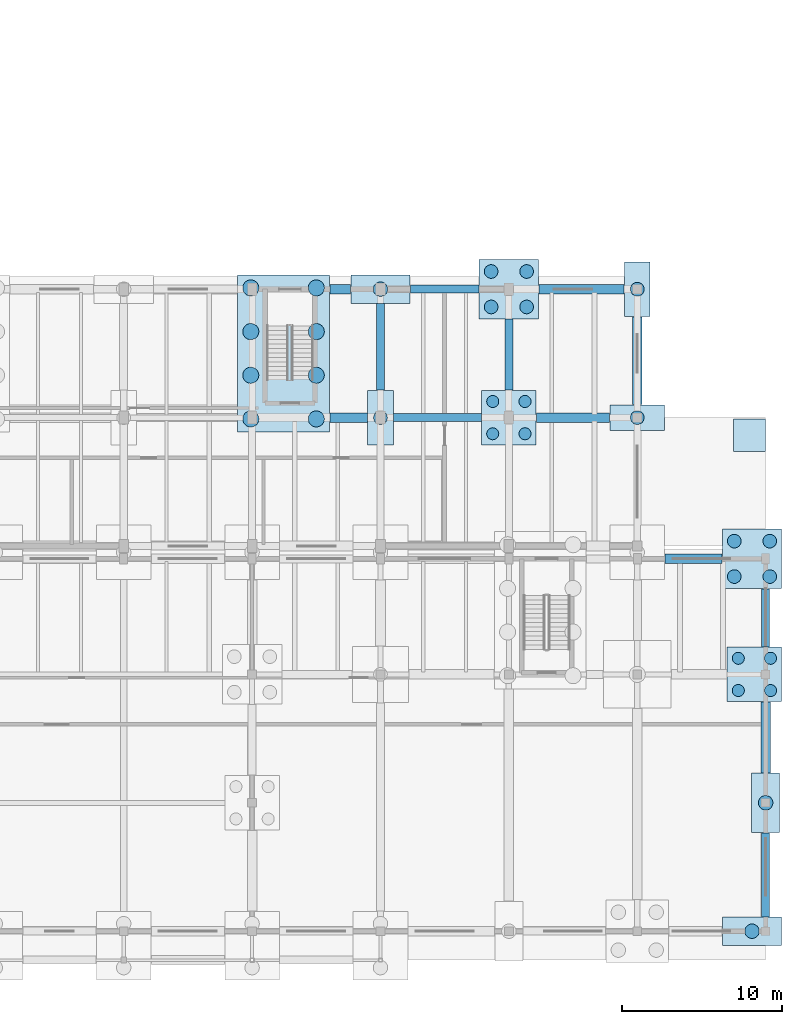
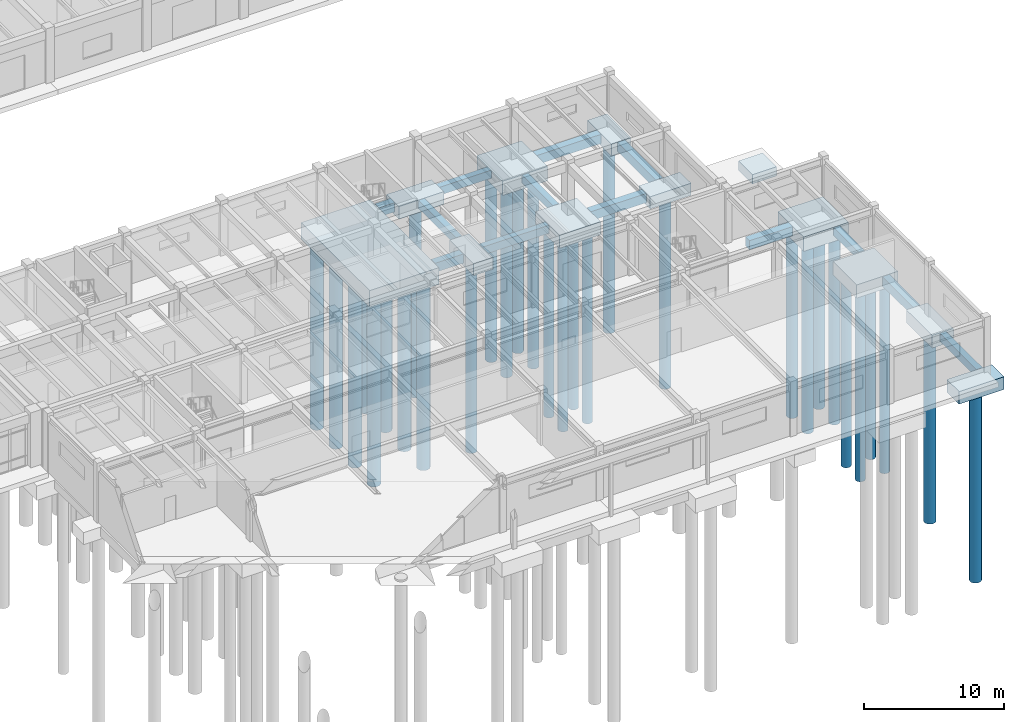
# One storey, part 4 of 64: 30 piles, 25 footings.
"""IFC4 building model written with IfcOpenShell, lengths in metres."""

from ifc_helpers import new_model, si_unit, direction, frame, origin, origin_2d, place, context, subcontext, project, spatial, rectangle, circle, extrude, material, layer, layer_set, material_profile, profile_set, type_object, element, save


model = new_model("IFC4")

# Units and contexts
model_context = context("Model", 3, precision=1e-05, world=origin(), true_north=direction((0.0, 1.0)))
body_context = subcontext(model_context, "Body", "Model", "MODEL_VIEW")
ifc_project = project(units=[si_unit("LENGTHUNIT", "METRE"), si_unit("AREAUNIT", "SQUARE_METRE"), si_unit("VOLUMEUNIT", "CUBIC_METRE"), si_unit("PLANEANGLEUNIT", "RADIAN"), si_unit("MASSUNIT", "GRAM", prefix="KILO")], contexts=[model_context])

# Site, building, storey
site_placement = place(None, origin())
site = spatial("IfcSite", under=ifc_project, at=site_placement, CompositionType="ELEMENT")
building_placement = place(site_placement, origin())
building = spatial("IfcBuilding", under=site, at=building_placement, Name="Tlaxcora Railside Police Headquarters", CompositionType="ELEMENT")
storey_placement = place(building_placement, origin())
storey = spatial("IfcBuildingStorey", under=building, at=storey_placement, Name="L00", CompositionType="ELEMENT", Elevation=0.0)

# Piles
ifc_material_1 = material(Name="Concrete C35/45", Category="concrete")
ifc_material_profile_1 = material_profile(ifc_material_1, circle(Radius=0.425048828125, at=origin_2d()), Name="PILE850")
ifc_profile_set_1 = profile_set([ifc_material_profile_1], Name="Concrete C35/45")
pile_type_1 = type_object("IfcPileType", Name="Cast-in-Place Bored Pile PL-12", PredefinedType="BORED", material=ifc_profile_set_1)
pile_placement = place(storey_placement, frame((142.800048828125, 44.0, -1.320068359375), z_axis=(0.0, 0.0, -1.0), x_axis=(1.0, 0.0, 0.0)))
element("IfcPile", 1, at=pile_placement, inside=storey, type_object=pile_type_1, Name="Bored pile PILE-150-1", PredefinedType="BORED", context=body_context, shape_type="SweptSolid", body=[
    extrude(circle(Radius=0.425048828125, at=origin_2d()), origin(), (0.0, 0.0, 1.0), 16.679931640625),
])
for number, where, z_axis, x_axis, name in (
    (2, (149.695068359375, 50.89501953125, -1.52001953125), (0.0, 0.0, -1.0), (1.0, 0.0, 0.0), "Bored pile PILE-154-1"),
    (3, (149.695068359375, 53.10498046875, -1.52001953125), (0.0, 0.0, -1.0), (1.0, 0.0, 0.0), "Bored pile PILE-154-2"),
    (4, (151.905029296875, 50.89501953125, -1.52001953125), (0.0, 0.0, -1.0), (1.0, 0.0, 0.0), "Bored pile PILE-154-3"),
    (5, (151.905029296875, 53.10498046875, -1.52001953125), (0.0, 0.0, -1.0), (1.0, 0.0, 0.0), "Bored pile PILE-154-4"),
):
    element("IfcPile", number, at=place(storey_placement, frame(where, z_axis=z_axis, x_axis=x_axis)), inside=storey, type_object=pile_type_1, Name=name, PredefinedType="BORED", context=body_context, shape_type="SweptSolid", body=[
        extrude(circle(Radius=0.425048828125, at=origin_2d()), origin(), (0.0, 0.0, 1.0), 16.47998046875),
    ])
for number, where, z_axis, x_axis, name in (
    (6, (158.800048828125, 44.0, -1.320068359375), (0.0, 0.0, -1.0), (1.0, 0.0, 0.0), "Bored pile PILE-158-1"),
    (7, (158.800048828125, 52.0, -1.320068359375), (0.0, 0.0, -1.0), (1.0, 0.0, 0.0), "Bored pile PILE-159-1"),
):
    element("IfcPile", number, at=place(storey_placement, frame(where, z_axis=z_axis, x_axis=x_axis)), inside=storey, type_object=pile_type_1, Name=name, PredefinedType="BORED", context=body_context, shape_type="SweptSolid", body=[
        extrude(circle(Radius=0.425048828125, at=origin_2d()), origin(), (0.0, 0.0, 1.0), 16.679931640625),
    ])
for number, where, z_axis, x_axis, name in (
    (8, (164.844970703125, 34.094970703125, -1.52001953125), (0.0, 0.0, -1.0), (1.0, 0.0, 0.0), "Bored pile PILE-163-1"),
    (9, (164.844970703125, 36.304931640625, -1.52001953125), (0.0, 0.0, -1.0), (1.0, 0.0, 0.0), "Bored pile PILE-163-2"),
    (10, (167.054931640625, 34.094970703125, -1.52001953125), (0.0, 0.0, -1.0), (1.0, 0.0, 0.0), "Bored pile PILE-163-3"),
    (11, (167.054931640625, 36.304931640625, -1.52001953125), (0.0, 0.0, -1.0), (1.0, 0.0, 0.0), "Bored pile PILE-163-4"),
):
    element("IfcPile", number, at=place(storey_placement, frame(where, z_axis=z_axis, x_axis=x_axis)), inside=storey, type_object=pile_type_1, Name=name, PredefinedType="BORED", context=body_context, shape_type="SweptSolid", body=[
        extrude(circle(Radius=0.425048828125, at=origin_2d()), origin(), (0.0, 0.0, 1.0), 16.47998046875),
    ])
ifc_material_profile_2 = material_profile(ifc_material_1, circle(Radius=0.449951171875, at=origin_2d()), Name="PILE900")
ifc_profile_set_2 = profile_set([ifc_material_profile_2], Name="Concrete C35/45")
pile_type_2 = type_object("IfcPileType", Name="Cast-in-Place Bored Pile PL-52", PredefinedType="BORED", material=ifc_profile_set_2)
for number, where, z_axis, x_axis, name in (
    (12, (142.800048828125, 52.0, -1.3701171875), (0.0, 0.0, -1.0), (1.0, 0.0, 0.0), "Bored pile PILE-151-1"),
    (13, (165.949951171875, 12.0, -1.3701171875), (0.0, 0.0, -1.0), (1.0, 0.0, 0.0), "Bored pile PILE-160-1"),
    (14, (166.800048828125, 20.0, -1.3701171875), (0.0, 0.0, -1.0), (1.0, 0.0, 0.0), "Bored pile PILE-161-1"),
):
    element("IfcPile", number, at=place(storey_placement, frame(where, z_axis=z_axis, x_axis=x_axis)), inside=storey, type_object=pile_type_2, Name=name, PredefinedType="BORED", context=body_context, shape_type="SweptSolid", body=[
        extrude(circle(Radius=0.449951171875, at=origin_2d()), origin(), (0.0, 0.0, 1.0), 16.6298828125),
    ])
ifc_material_profile_3 = material_profile(ifc_material_1, circle(Radius=0.375, at=origin_2d()), Name="PILE750")
ifc_profile_set_3 = profile_set([ifc_material_profile_3], Name="Concrete C35/45")
pile_type_3 = type_object("IfcPileType", Name="Cast-in-Place Bored Pile PL-58", PredefinedType="BORED", material=ifc_profile_set_3)
for number, where, z_axis, x_axis, name in (
    (15, (149.794921875, 42.9951171875, -1.419921875), (0.0, 0.0, -1.0), (1.0, 0.0, 0.0), "Bored pile PILE-153-1"),
    (16, (149.794921875, 45.0048828125, -1.419921875), (0.0, 0.0, -1.0), (1.0, 0.0, 0.0), "Bored pile PILE-153-2"),
    (17, (151.804931640625, 42.9951171875, -1.419921875), (0.0, 0.0, -1.0), (1.0, 0.0, 0.0), "Bored pile PILE-153-3"),
    (18, (151.804931640625, 45.0048828125, -1.419921875), (0.0, 0.0, -1.0), (1.0, 0.0, 0.0), "Bored pile PILE-153-4"),
    (19, (165.094970703125, 26.9951171875, -1.419921875), (0.0, 0.0, -1.0), (1.0, 0.0, 0.0), "Bored pile PILE-162-1"),
    (20, (165.094970703125, 29.0048828125, -1.419921875), (0.0, 0.0, -1.0), (1.0, 0.0, 0.0), "Bored pile PILE-162-2"),
    (21, (167.10498046875, 26.9951171875, -1.419921875), (0.0, 0.0, -1.0), (1.0, 0.0, 0.0), "Bored pile PILE-162-3"),
    (22, (167.10498046875, 29.0048828125, -1.419921875), (0.0, 0.0, -1.0), (1.0, 0.0, 0.0), "Bored pile PILE-162-4"),
):
    element("IfcPile", number, at=place(storey_placement, frame(where, z_axis=z_axis, x_axis=x_axis)), inside=storey, type_object=pile_type_3, Name=name, PredefinedType="BORED", context=body_context, shape_type="SweptSolid", body=[
        extrude(circle(Radius=0.375, at=origin_2d()), origin(), (0.0, 0.0, 1.0), 16.580078125),
    ])
ifc_material_profile_4 = material_profile(ifc_material_1, circle(Radius=0.5, at=origin_2d()), Name="PILE1000")
ifc_profile_set_4 = profile_set([ifc_material_profile_4], Name="Concrete C35/45")
pile_type_4 = type_object("IfcPileType", Name="Cast-in-Place Bored Pile PL-74", PredefinedType="BORED", material=ifc_profile_set_4)
for number, where, z_axis, x_axis, name in (
    (23, (134.719970703125, 43.919921875, -1.719970703125), (0.0, 0.0, -1.0), (1.0, 0.0, 0.0), "Bored pile PILE-106-1"),
    (24, (134.719970703125, 46.639892578125, -1.719970703125), (0.0, 0.0, -1.0), (1.0, 0.0, 0.0), "Bored pile PILE-106-2"),
    (25, (134.719970703125, 49.360107421875, -1.719970703125), (0.0, 0.0, -1.0), (1.0, 0.0, 0.0), "Bored pile PILE-106-3"),
    (26, (134.719970703125, 52.080078125, -1.719970703125), (0.0, 0.0, -1.0), (1.0, 0.0, 0.0), "Bored pile PILE-106-4"),
    (27, (138.800048828125, 43.919921875, -1.719970703125), (0.0, 0.0, -1.0), (1.0, 0.0, 0.0), "Bored pile PILE-106-5"),
    (28, (138.800048828125, 46.639892578125, -1.719970703125), (0.0, 0.0, -1.0), (1.0, 0.0, 0.0), "Bored pile PILE-106-6"),
    (29, (138.800048828125, 49.360107421875, -1.719970703125), (0.0, 0.0, -1.0), (1.0, 0.0, 0.0), "Bored pile PILE-106-7"),
    (30, (138.800048828125, 52.080078125, -1.719970703125), (0.0, 0.0, -1.0), (1.0, 0.0, 0.0), "Bored pile PILE-106-8"),
):
    element("IfcPile", number, at=place(storey_placement, frame(where, z_axis=z_axis, x_axis=x_axis)), inside=storey, type_object=pile_type_4, Name=name, PredefinedType="BORED", context=body_context, shape_type="SweptSolid", body=[
        extrude(circle(Radius=0.5, at=origin_2d()), origin(), (0.0, 0.0, 1.0), 16.280029296875),
    ])

# Footings
ifc_material_2 = material(Name="Concrete C40/50", Category="concrete")
ifc_layer_1 = layer(ifc_material_2, 0.800048828125, Name="Concrete C40/50")
ifc_layer_set_1 = layer_set([ifc_layer_1], Name="Concrete C40/50")
footing_type_1 = type_object("IfcFootingType", Name="Reinforced Concrete Pad Footing FT-52", PredefinedType="PAD_FOOTING", material=ifc_layer_set_1)
footing_1_placement = place(storey_placement, frame((165.800048828125, 42.89990234375, -1.2001953125), z_axis=(0.0, 0.0, 1.0), x_axis=(1.0, 0.0, 0.0)))
element("IfcFooting", 31, at=footing_1_placement, inside=storey, type_object=footing_type_1, Name="Sallyport apron pad footing 2", PredefinedType="PAD_FOOTING", context=body_context, shape_type="SweptSolid", body=[
    extrude(rectangle(XDim=2.0, YDim=2.0, at=origin_2d()), origin(), (0.0, 0.0, 1.0), 0.800048828125),
])
ifc_layer_2 = layer(ifc_material_2, 1.449951171875, Name="Concrete C40/50")
ifc_layer_set_2 = layer_set([ifc_layer_2], Name="Concrete C40/50")
footing_type_2 = type_object("IfcFootingType", Name="Reinforced Concrete Pile Cap FT-242", PredefinedType="PILE_CAP", material=ifc_layer_set_2)
footing_2_placement = place(storey_placement, frame((136.760009765625, 48.0, -1.8701171875), z_axis=(0.0, 0.0, 1.0), x_axis=(1.0, 0.0, 0.0)))
element("IfcFooting", 32, at=footing_2_placement, inside=storey, type_object=footing_type_2, Name="Pile cap CAP-L00-106", PredefinedType="PILE_CAP", context=body_context, shape_type="SweptSolid", body=[
    extrude(rectangle(XDim=5.719970703125, YDim=9.800048828125, at=origin_2d()), origin(), (0.0, 0.0, 1.0), 1.449951171875),
])
ifc_layer_3 = layer(ifc_material_2, 1.050048828125, Name="Concrete C40/50")
ifc_layer_set_3 = layer_set([ifc_layer_3], Name="Concrete C40/50")
footing_type_3 = type_object("IfcFootingType", Name="Reinforced Concrete Pile Cap FT-28", PredefinedType="PILE_CAP", material=ifc_layer_set_3)
footing_3_placement = place(storey_placement, frame((158.800048828125, 44.0, -1.47021484375), z_axis=(0.0, 0.0, 1.0), x_axis=(1.0, 0.0, 0.0)))
element("IfcFooting", 33, at=footing_3_placement, inside=storey, type_object=footing_type_3, Name="Pile cap CAP-L00-158", PredefinedType="PILE_CAP", context=body_context, shape_type="SweptSolid", body=[
    extrude(rectangle(XDim=3.39990234375, YDim=1.60009765625, at=origin_2d()), origin(), (0.0, 0.0, 1.0), 1.050048828125),
])
ifc_layer_4 = layer(ifc_material_2, 1.050048828125, Name="Concrete C40/50")
ifc_layer_set_4 = layer_set([ifc_layer_4], Name="Concrete C40/50")
footing_type_4 = type_object("IfcFootingType", Name="Reinforced Concrete Pile Cap FT-30", PredefinedType="PILE_CAP", material=ifc_layer_set_4)
for number, where, z_axis, x_axis, name in (
    (34, (142.800048828125, 44.0, -1.47021484375), (0.0, 0.0, 1.0), (1.0, 0.0, 0.0), "Pile cap CAP-L00-150"),
    (35, (158.800048828125, 52.0, -1.47021484375), (0.0, 0.0, 1.0), (1.0, 0.0, 0.0), "Pile cap CAP-L00-159"),
):
    element("IfcFooting", number, at=place(storey_placement, frame(where, z_axis=z_axis, x_axis=x_axis)), inside=storey, type_object=footing_type_4, Name=name, PredefinedType="PILE_CAP", context=body_context, shape_type="SweptSolid", body=[
        extrude(rectangle(XDim=1.60009765625, YDim=3.39990234375, at=origin_2d()), origin(), (0.0, 0.0, 1.0), 1.050048828125),
    ])
ifc_layer_5 = layer(ifc_material_2, 1.14990234375, Name="Concrete C40/50")
ifc_layer_set_5 = layer_set([ifc_layer_5], Name="Concrete C40/50")
footing_type_5 = type_object("IfcFootingType", Name="Reinforced Concrete Pile Cap FT-44", PredefinedType="PILE_CAP", material=ifc_layer_set_5)
for number, where, z_axis, x_axis, name in (
    (36, (150.800048828125, 44.0, -1.570068359375), (0.0, 0.0, 1.0), (1.0, 0.0, 0.0), "Pile cap CAP-L00-153"),
    (37, (166.10009765625, 28.0, -1.570068359375), (0.0, 0.0, 1.0), (1.0, 0.0, 0.0), "Pile cap CAP-L00-162"),
):
    element("IfcFooting", number, at=place(storey_placement, frame(where, z_axis=z_axis, x_axis=x_axis)), inside=storey, type_object=footing_type_5, Name=name, PredefinedType="PILE_CAP", context=body_context, shape_type="SweptSolid", body=[
        extrude(rectangle(XDim=3.39990234375, YDim=3.39990234375, at=origin_2d()), origin(), (0.0, 0.0, 1.0), 1.14990234375),
    ])
ifc_layer_6 = layer(ifc_material_2, 1.10009765625, Name="Concrete C40/50")
ifc_layer_set_6 = layer_set([ifc_layer_6], Name="Concrete C40/50")
footing_type_6 = type_object("IfcFootingType", Name="Reinforced Concrete Pile Cap FT-77", PredefinedType="PILE_CAP", material=ifc_layer_set_6)
for number, where, z_axis, x_axis, name in (
    (38, (142.800048828125, 52.0, -1.52001953125), (0.0, 0.0, 1.0), (1.0, 0.0, 0.0), "Pile cap CAP-L00-151"),
    (39, (165.949951171875, 12.0, -1.52001953125), (0.0, 0.0, 1.0), (1.0, 0.0, 0.0), "Pile cap CAP-L00-160"),
):
    element("IfcFooting", number, at=place(storey_placement, frame(where, z_axis=z_axis, x_axis=x_axis)), inside=storey, type_object=footing_type_6, Name=name, PredefinedType="PILE_CAP", context=body_context, shape_type="SweptSolid", body=[
        extrude(rectangle(XDim=3.699951171875, YDim=1.75, at=origin_2d()), origin(), (0.0, 0.0, 1.0), 1.10009765625),
    ])
ifc_layer_7 = layer(ifc_material_2, 1.25, Name="Concrete C40/50")
ifc_layer_set_7 = layer_set([ifc_layer_7], Name="Concrete C40/50")
footing_type_7 = type_object("IfcFootingType", Name="Reinforced Concrete Pile Cap FT-78", PredefinedType="PILE_CAP", material=ifc_layer_set_7)
for number, where, z_axis, x_axis, name in (
    (40, (150.800048828125, 52.0, -1.669921875), (0.0, 0.0, 1.0), (1.0, 0.0, 0.0), "Pile cap CAP-L00-154"),
    (41, (165.949951171875, 35.199951171875, -1.669921875), (0.0, 0.0, 1.0), (1.0, 0.0, 0.0), "Pile cap CAP-L00-163"),
):
    element("IfcFooting", number, at=place(storey_placement, frame(where, z_axis=z_axis, x_axis=x_axis)), inside=storey, type_object=footing_type_7, Name=name, PredefinedType="PILE_CAP", context=body_context, shape_type="SweptSolid", body=[
        extrude(rectangle(XDim=3.699951171875, YDim=3.699951171875, at=origin_2d()), origin(), (0.0, 0.0, 1.0), 1.25),
    ])
ifc_layer_8 = layer(ifc_material_2, 1.10009765625, Name="Concrete C40/50")
ifc_layer_set_8 = layer_set([ifc_layer_8], Name="Concrete C40/50")
footing_type_8 = type_object("IfcFootingType", Name="Reinforced Concrete Pile Cap FT-97", PredefinedType="PILE_CAP", material=ifc_layer_set_8)
footing_4_placement = place(storey_placement, frame((166.800048828125, 20.0, -1.52001953125), z_axis=(0.0, 0.0, 1.0), x_axis=(1.0, 0.0, 0.0)))
element("IfcFooting", 42, at=footing_4_placement, inside=storey, type_object=footing_type_8, Name="Pile cap CAP-L00-161", PredefinedType="PILE_CAP", context=body_context, shape_type="SweptSolid", body=[
    extrude(rectangle(XDim=1.75, YDim=3.699951171875, at=origin_2d()), origin(), (0.0, 0.0, 1.0), 1.10009765625),
])
ifc_layer_9 = layer(ifc_material_1, 0.699951171875, Name="Concrete C35/45")
ifc_layer_set_9 = layer_set([ifc_layer_9], Name="Concrete C35/45")
footing_type_9 = type_object("IfcFootingType", Name="Reinforced Concrete Tie Beam FT-39", PredefinedType="FOOTING_BEAM", material=ifc_layer_set_9)
footing_5_placement = place(storey_placement, frame((146.35009765625, 44.0, -1.1201171875), z_axis=(0.0, 0.0, 1.0), x_axis=(1.0, 0.0, 0.0)))
element("IfcFooting", 43, at=footing_5_placement, inside=storey, type_object=footing_type_9, Name="Seismic tie beam TB-X-233", PredefinedType="FOOTING_BEAM", context=body_context, shape_type="SweptSolid", body=[
    extrude(rectangle(XDim=5.4599609375, YDim=0.5, at=origin_2d()), origin(), (0.0, 0.0, 1.0), 0.699951171875),
])
footing_6_placement = place(storey_placement, frame((146.800048828125, 52.0, -1.1201171875), z_axis=(0.0, 0.0, 1.0), x_axis=(1.0, 0.0, 0.0)))
element("IfcFooting", 44, at=footing_6_placement, inside=storey, type_object=footing_type_9, Name="Seismic tie beam TB-X-239", PredefinedType="FOOTING_BEAM", context=body_context, shape_type="SweptSolid", body=[
    extrude(rectangle(XDim=4.260009765625, YDim=0.5, at=origin_2d()), origin(), (0.0, 0.0, 1.0), 0.699951171875),
])
footing_7_placement = place(storey_placement, frame((142.800048828125, 48.41259765625, -1.1201171875), z_axis=(0.0, 0.0, 1.0), x_axis=(0.0, 1.0, 0.0)))
element("IfcFooting", 45, at=footing_7_placement, inside=storey, type_object=footing_type_9, Name="Seismic tie beam TB-Y-265", PredefinedType="FOOTING_BEAM", context=body_context, shape_type="SweptSolid", body=[
    extrude(rectangle(XDim=5.385009765625, YDim=0.5, at=origin_2d()), origin(), (0.0, 0.0, 1.0), 0.699951171875),
])
footing_8_placement = place(storey_placement, frame((150.800048828125, 47.925048828125, -1.1201171875), z_axis=(0.0, 0.0, 1.0), x_axis=(0.0, 1.0, 0.0)))
element("IfcFooting", 46, at=footing_8_placement, inside=storey, type_object=footing_type_9, Name="Seismic tie beam TB-Y-267", PredefinedType="FOOTING_BEAM", context=body_context, shape_type="SweptSolid", body=[
    extrude(rectangle(XDim=4.409912109375, YDim=0.5, at=origin_2d()), origin(), (0.0, 0.0, 1.0), 0.699951171875),
])
footing_9_placement = place(storey_placement, frame((166.800048828125, 15.512451171875, -1.1201171875), z_axis=(0.0, 0.0, 1.0), x_axis=(0.0, 1.0, 0.0)))
element("IfcFooting", 47, at=footing_9_placement, inside=storey, type_object=footing_type_9, Name="Seismic tie beam TB-Y-271", PredefinedType="FOOTING_BEAM", context=body_context, shape_type="SweptSolid", body=[
    extrude(rectangle(XDim=5.235107421875, YDim=0.5, at=origin_2d()), origin(), (0.0, 0.0, 1.0), 0.699951171875),
])
footing_10_placement = place(storey_placement, frame((166.800048828125, 31.52490234375, -1.1201171875), z_axis=(0.0, 0.0, 1.0), x_axis=(0.0, 1.0, 0.0)))
element("IfcFooting", 48, at=footing_10_placement, inside=storey, type_object=footing_type_9, Name="Seismic tie beam TB-Y-273", PredefinedType="FOOTING_BEAM", context=body_context, shape_type="SweptSolid", body=[
    extrude(rectangle(XDim=3.610107421875, YDim=0.5, at=origin_2d()), origin(), (0.0, 0.0, 1.0), 0.699951171875),
])
ifc_layer_10 = layer(ifc_material_1, 0.800048828125, Name="Concrete C35/45")
ifc_layer_set_10 = layer_set([ifc_layer_10], Name="Concrete C35/45")
footing_type_10 = type_object("IfcFootingType", Name="Reinforced Concrete Tie Beam FT-96", PredefinedType="FOOTING_BEAM", material=ifc_layer_set_10)
footing_11_placement = place(storey_placement, frame((162.300048828125, 35.199951171875, -1.22021484375), z_axis=(0.0, 0.0, 1.0), x_axis=(1.0, 0.0, 0.0)))
element("IfcFooting", 49, at=footing_11_placement, inside=storey, type_object=footing_type_10, Name="Seismic tie beam TB-X-216", PredefinedType="FOOTING_BEAM", context=body_context, shape_type="SweptSolid", body=[
    extrude(rectangle(XDim=3.56005859375, YDim=0.60009765625, at=origin_2d()), origin(), (0.0, 0.0, 1.0), 0.800048828125),
])
footing_12_placement = place(storey_placement, frame((140.81005859375, 44.0, -1.22021484375), z_axis=(0.0, 0.0, 1.0), x_axis=(1.0, 0.0, 0.0)))
element("IfcFooting", 50, at=footing_12_placement, inside=storey, type_object=footing_type_10, Name="Seismic tie beam TB-X-232", PredefinedType="FOOTING_BEAM", context=body_context, shape_type="SweptSolid", body=[
    extrude(rectangle(XDim=2.340087890625, YDim=0.60009765625, at=origin_2d()), origin(), (0.0, 0.0, 1.0), 0.800048828125),
])
footing_13_placement = place(storey_placement, frame((154.800048828125, 44.0, -1.22021484375), z_axis=(0.0, 0.0, 1.0), x_axis=(1.0, 0.0, 0.0)))
element("IfcFooting", 51, at=footing_13_placement, inside=storey, type_object=footing_type_10, Name="Seismic tie beam TB-X-234", PredefinedType="FOOTING_BEAM", context=body_context, shape_type="SweptSolid", body=[
    extrude(rectangle(XDim=4.56005859375, YDim=0.60009765625, at=origin_2d()), origin(), (0.0, 0.0, 1.0), 0.800048828125),
])
footing_14_placement = place(storey_placement, frame((140.284912109375, 52.0, -1.22021484375), z_axis=(0.0, 0.0, 1.0), x_axis=(1.0, 0.0, 0.0)))
element("IfcFooting", 52, at=footing_14_placement, inside=storey, type_object=footing_type_10, Name="Seismic tie beam TB-X-238", PredefinedType="FOOTING_BEAM", context=body_context, shape_type="SweptSolid", body=[
    extrude(rectangle(XDim=1.2900390625, YDim=0.60009765625, at=origin_2d()), origin(), (0.0, 0.0, 1.0), 0.800048828125),
])
footing_15_placement = place(storey_placement, frame((155.324951171875, 52.0, -1.22021484375), z_axis=(0.0, 0.0, 1.0), x_axis=(1.0, 0.0, 0.0)))
element("IfcFooting", 53, at=footing_15_placement, inside=storey, type_object=footing_type_10, Name="Seismic tie beam TB-X-240", PredefinedType="FOOTING_BEAM", context=body_context, shape_type="SweptSolid", body=[
    extrude(rectangle(XDim=5.31005859375, YDim=0.60009765625, at=origin_2d()), origin(), (0.0, 0.0, 1.0), 0.800048828125),
])
footing_16_placement = place(storey_placement, frame((158.800048828125, 47.550048828125, -1.22021484375), z_axis=(0.0, 0.0, 1.0), x_axis=(0.0, 1.0, 0.0)))
element("IfcFooting", 54, at=footing_16_placement, inside=storey, type_object=footing_type_10, Name="Seismic tie beam TB-Y-270", PredefinedType="FOOTING_BEAM", context=body_context, shape_type="SweptSolid", body=[
    extrude(rectangle(XDim=5.4599609375, YDim=0.60009765625, at=origin_2d()), origin(), (0.0, 0.0, 1.0), 0.800048828125),
])
footing_17_placement = place(storey_placement, frame((166.800048828125, 24.074951171875, -1.22021484375), z_axis=(0.0, 0.0, 1.0), x_axis=(0.0, 1.0, 0.0)))
element("IfcFooting", 55, at=footing_17_placement, inside=storey, type_object=footing_type_10, Name="Seismic tie beam TB-Y-272", PredefinedType="FOOTING_BEAM", context=body_context, shape_type="SweptSolid", body=[
    extrude(rectangle(XDim=4.409912109375, YDim=0.60009765625, at=origin_2d()), origin(), (0.0, 0.0, 1.0), 0.800048828125),
])

save(model, "model.ifc")
